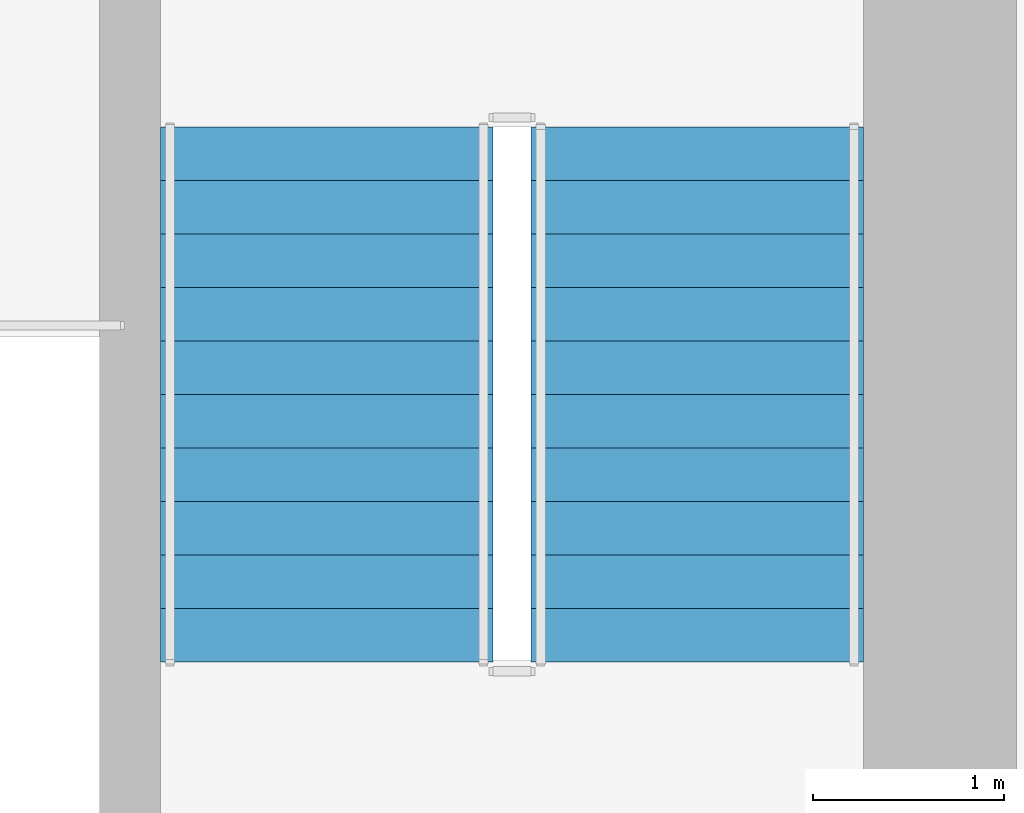
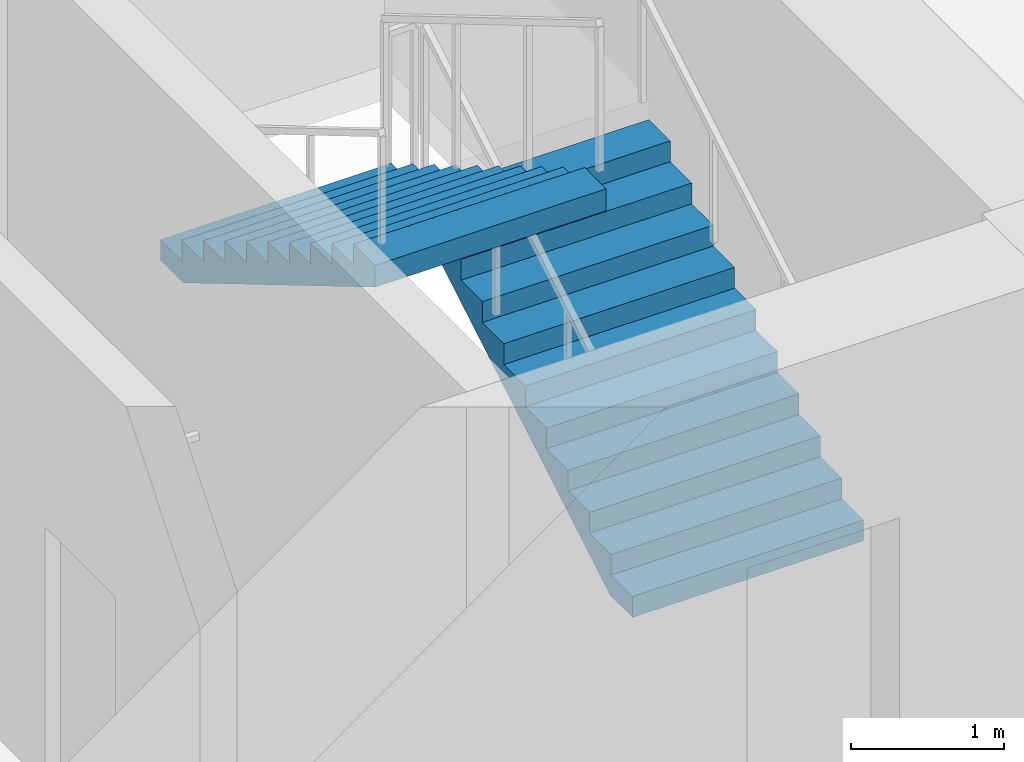
# One storey, part 10 of 11: 2 stair flights, 1 element without a shape of its own.
"""IFC4 building model written with IfcOpenShell, lengths in metres."""

import ifcopenshell
import ifcopenshell.guid

model = None  # the IFC model being written
_history = None  # IfcOwnerHistory: only IFC2X3 demands one
_inside = {}  # id of a spatial element -> (the spatial element, [elements in it])
_under = {}  # id of a project, library or spatial element -> (it, [spatial elements below it])
_declared = {}  # id of a project -> (the project, [libraries it declares])
_typed = {}  # id of a type object -> (the type object, [elements of that type])
_made_of = {}  # id of a material, layer set ... -> (it, [elements and type objects made of it])


def new_model(schema):
    """Start an empty IFC model of exactly this schema.

    Asked for "IFC4X3", IfcOpenShell would pick the latest addendum, in which some entities
    have other attributes; the version numbers below select the first issue.
    IFC2X3 requires an IfcOwnerHistory on every rooted entity: one is made here for all.
    """
    global model, _history
    if schema == "IFC4X3":
        model = ifcopenshell.file(schema_version=(4, 3, 0, 0))
    else:
        model = ifcopenshell.file(schema=schema)
    _inside.clear()
    _under.clear()
    _declared.clear()
    _typed.clear()
    _made_of.clear()
    _history = None
    if model.schema == "IFC2X3":
        org = make("IfcOrganization", Name="unknown")
        user = make(
            "IfcPersonAndOrganization",
            ThePerson=make("IfcPerson", FamilyName="unknown"),
            TheOrganization=org,
        )
        app = make(
            "IfcApplication",
            ApplicationDeveloper=org,
            Version="unknown",
            ApplicationFullName="unknown",
            ApplicationIdentifier="unknown",
        )
        _history = make(
            "IfcOwnerHistory",
            OwningUser=user,
            OwningApplication=app,
            ChangeAction="ADDED",
            CreationDate=0,
        )
    return model


def make(cls, **values):
    """One entity of the class cls with the attributes given. An attribute that is None is left unset."""
    return model.create_entity(
        cls, **{name: value for name, value in values.items() if value is not None}
    )


def rooted(cls, **values):
    """An entity with a GlobalId (a new one), such as an element, a storey or a relation."""
    return make(cls, GlobalId=ifcopenshell.guid.new(), OwnerHistory=_history, **values)


def si_unit(unit_type, name, prefix=None):
    """IfcSIUnit, for example si_unit("LENGTHUNIT", "METRE", prefix="MILLI")."""
    return make("IfcSIUnit", UnitType=unit_type, Prefix=prefix, Name=name)


def assignment(units):
    """IfcUnitAssignment: the units of a project."""
    return None if units is None else make("IfcUnitAssignment", Units=units)


def point(xyz):
    """IfcCartesianPoint."""
    return None if xyz is None else make("IfcCartesianPoint", Coordinates=xyz)


def direction(xyz):
    """IfcDirection."""
    return None if xyz is None else make("IfcDirection", DirectionRatios=xyz)


def frame(location, z_axis=None, x_axis=None):
    """IfcAxis2Placement3D, a coordinate frame: its origin and axes. An axis left out is left unset."""
    return make(
        "IfcAxis2Placement3D",
        Location=point(location),
        Axis=direction(z_axis),
        RefDirection=direction(x_axis),
    )


def origin():
    """The frame at (0, 0, 0) with its axes left unset."""
    return frame((0.0, 0.0, 0.0))


def place(relative_to, where):
    """IfcLocalPlacement: puts the frame where relative to a parent placement (None: the world)."""
    return make(
        "IfcLocalPlacement", PlacementRelTo=relative_to, RelativePlacement=where
    )


def context(
    kind, dimensions, precision=None, world=None, true_north=None, identifier=None
):
    """IfcGeometricRepresentationContext, for example the 3D "Model" context."""
    return make(
        "IfcGeometricRepresentationContext",
        ContextIdentifier=identifier,
        ContextType=kind,
        CoordinateSpaceDimension=dimensions,
        Precision=precision,
        WorldCoordinateSystem=world,
        TrueNorth=true_north,
    )


def subcontext(parent, identifier, kind, view, scale=None):
    """IfcGeometricRepresentationSubContext, for example "Body" below "Model"."""
    return make(
        "IfcGeometricRepresentationSubContext",
        ContextIdentifier=identifier,
        ContextType=kind,
        ParentContext=parent,
        TargetScale=scale,
        TargetView=view,
    )


def project(units=None, contexts=None):
    """IfcProject with its units and contexts."""
    return rooted(
        "IfcProject",
        Name="project",
        RepresentationContexts=contexts,
        UnitsInContext=assignment(units),
    )


def spatial(cls, under=None, at=None, **own):
    """A site, building, storey or space (cls), placed at a placement, below another one or the project."""
    s = rooted(cls, ObjectPlacement=at, **own)
    if under is not None:
        _under.setdefault(under.id(), (under, []))[1].append(s)
    return s


def polyline(points):
    """IfcPolyline through the points."""
    return make("IfcPolyline", Points=[point(p) for p in points])


def outline(outer, holes=None, kind="AREA"):
    """IfcArbitraryClosedProfileDef: a profile drawn as a closed curve; with holes, ...WithVoids."""
    if holes is None:
        return make("IfcArbitraryClosedProfileDef", ProfileType=kind, OuterCurve=outer)
    return make(
        "IfcArbitraryProfileDefWithVoids",
        ProfileType=kind,
        OuterCurve=outer,
        InnerCurves=holes,
    )


def extrude(swept, where, along, depth):
    """IfcExtrudedAreaSolid: the profile swept, set in the frame where, extruded along a direction by depth."""
    return make(
        "IfcExtrudedAreaSolid",
        SweptArea=swept,
        Position=where,
        ExtrudedDirection=direction(along),
        Depth=depth,
    )


def shape(context_of_items, identifier, shape_type, items):
    """IfcShapeRepresentation: the items that make up one representation, for example the "Body"."""
    return make(
        "IfcShapeRepresentation",
        ContextOfItems=context_of_items,
        RepresentationIdentifier=identifier,
        RepresentationType=shape_type,
        Items=items,
    )


def material(Name=None, Category=None):
    """IfcMaterial."""
    return make("IfcMaterial", Name=Name, Category=Category)


def made_of(thing, what):
    """Note that an element or type object is made of a material, layer set ...; save() writes the relation."""
    if what is not None:
        _made_of.setdefault(what.id(), (what, []))[1].append(thing)
    return thing


def type_object(cls, material=None, **own):
    """A type object (cls), such as IfcWallType, which elements share."""
    return made_of(rooted(cls, **own), material)


def element(
    cls,
    number,
    at=None,
    inside=None,
    cuts=None,
    type_object=None,
    material=None,
    context=None,
    identifier="Body",
    shape_type=None,
    held_by="IfcProductDefinitionShape",
    body=None,
    shapes=None,
    **own,
):
    """One element of the class cls, such as IfcWall. Its Tag is "e" and its number.

    at: its placement. inside: the storey or other place that contains it. cuts: it is an
    opening in that element (IfcRelVoidsElement). A single representation is given by context,
    identifier, shape_type and body (its items); several are given by shapes. held_by: the class
    of the entity that holds the representations. save() writes the other relations.
    """
    e = rooted(cls, Tag="e%d" % number, ObjectPlacement=at, **own)
    if body is not None:
        shapes = [shape(context, identifier, shape_type, body)]
    if shapes is not None:
        e.Representation = make(held_by, Representations=shapes)
    if inside is not None:
        _inside.setdefault(inside.id(), (inside, []))[1].append(e)
    if cuts is not None:
        rooted(
            "IfcRelVoidsElement", RelatingBuildingElement=cuts, RelatedOpeningElement=e
        )
    if type_object is not None:
        _typed.setdefault(type_object.id(), (type_object, []))[1].append(e)
    return made_of(e, material)


def aggregate(whole, parts):
    """IfcRelAggregates: a whole, such as a stair, and the parts it consists of."""
    return rooted("IfcRelAggregates", RelatingObject=whole, RelatedObjects=parts)


def save(model, path):
    """Write the relations noted so far, then the file.

    IfcRelAggregates (storeys below a building ...), IfcRelContainedInSpatialStructure (elements
    in a storey), IfcRelDefinesByType, IfcRelAssociatesMaterial and IfcRelDeclares: one each for
    every whole, place, type object, material and project.
    """
    for whole, parts in _under.values():
        aggregate(whole, parts)
    for where, things in _inside.values():
        rooted(
            "IfcRelContainedInSpatialStructure",
            RelatedElements=things,
            RelatingStructure=where,
        )
    for kind, things in _typed.values():
        rooted("IfcRelDefinesByType", RelatedObjects=things, RelatingType=kind)
    for what, things in _made_of.values():
        rooted("IfcRelAssociatesMaterial", RelatedObjects=things, RelatingMaterial=what)
    for by, libraries in _declared.values():
        rooted("IfcRelDeclares", RelatingContext=by, RelatedDefinitions=libraries)
    model.write(path)


model = new_model("IFC4")

# Units and contexts
model_context = context("Model", 3, precision=1e-05, world=origin(), true_north=direction((0.0, 1.0)))
body_context = subcontext(model_context, "Body", "Model", "MODEL_VIEW")
ifc_project = project(units=[si_unit("LENGTHUNIT", "METRE"), si_unit("AREAUNIT", "SQUARE_METRE"), si_unit("VOLUMEUNIT", "CUBIC_METRE"), si_unit("PLANEANGLEUNIT", "RADIAN"), si_unit("MASSUNIT", "GRAM", prefix="KILO")], contexts=[model_context])

# Site, building, storey
site_placement = place(None, origin())
site = spatial("IfcSite", under=ifc_project, at=site_placement, CompositionType="ELEMENT")
building_placement = place(site_placement, origin())
building = spatial("IfcBuilding", under=site, at=building_placement, Name="Talyreon Biosciences Tower", CompositionType="ELEMENT")
storey_placement = place(building_placement, frame((0.0, 0.0, 163.699951171875)))
storey = spatial("IfcBuildingStorey", under=building, at=storey_placement, Name="L43", CompositionType="ELEMENT", Elevation=163.699951171875)

# Stair, stair flights
ifc_material = material(Name="Concrete C40/50", Category="concrete")
stair_type = type_object("IfcStairType", Name="DoglegEscapeStair_3650", PredefinedType="HALF_TURN_STAIR", material=ifc_material)
stair_placement = place(storey_placement, origin())
stair = element("IfcStair", 1, at=stair_placement, inside=storey, type_object=stair_type, Name="L43 Core Escape Stair 2", PredefinedType="HALF_TURN_STAIR")
stair_flight_type = type_object("IfcStairFlightType", Name="PrecastStairFlight_3650", PredefinedType="STRAIGHT", material=ifc_material)
stair_flight_1_placement = place(storey_placement, frame((72.8798828125, 63.39990234375, 0.0), z_axis=(0.0, 0.0, 1.0), x_axis=(0.0, 1.0, 0.0)))
stair_flight_1 = element("IfcStairFlight", 2, at=stair_flight_1_placement, type_object=stair_flight_type, Name="ST-2 flight 1", NumberOfRisers=11, NumberOfTreads=10, PredefinedType="STRAIGHT", RiserHeight=0.165909091, TreadLength=0.28, context=body_context, shape_type="SweptSolid", body=[
    extrude(outline(polyline([(0.0, 0.0), (0.0, 0.166015625), (0.280029296875, 0.166015625), (0.280029296875, 0.331787109375), (0.56005859375, 0.331787109375), (0.56005859375, 0.497802734375), (0.840087890625, 0.497802734375), (0.840087890625, 0.66357421875), (1.1201171875, 0.66357421875), (1.1201171875, 0.82958984375), (1.39990234375, 0.82958984375), (1.39990234375, 0.995361328125), (1.679931640625, 0.995361328125), (1.679931640625, 1.161376953125), (1.9599609375, 1.161376953125), (1.9599609375, 1.327392578125), (2.239990234375, 1.327392578125), (2.239990234375, 1.4931640625), (2.52001953125, 1.4931640625), (2.52001953125, 1.6591796875), (2.800048828125, 1.6591796875), (2.800048828125, 1.824951171875), (2.800048828125, 1.48486328125), (0.2939453125, 0.0), (0.0, 0.0)])), frame((0.0, 0.8701171875, 0.0), z_axis=(0.0, -1.0, 0.0), x_axis=(1.0, 0.0, 0.0)), (0.0, 0.0, 1.0), 1.739990234375),
])
stair_flight_2_placement = place(storey_placement, frame((70.93994140625, 66.199951171875, 1.824951171875), z_axis=(0.0, 0.0, 1.0), x_axis=(0.0, -1.0, 0.0)))
stair_flight_2 = element("IfcStairFlight", 3, at=stair_flight_2_placement, type_object=stair_flight_type, Name="ST-2 flight 2", NumberOfRisers=11, NumberOfTreads=10, PredefinedType="STRAIGHT", RiserHeight=0.165909091, TreadLength=0.28, context=body_context, shape_type="SweptSolid", body=[
    extrude(outline(polyline([(0.0, 0.0), (0.0, 0.166015625), (0.280029296875, 0.166015625), (0.280029296875, 0.331787109375), (0.56005859375, 0.331787109375), (0.56005859375, 0.497802734375), (0.840087890625, 0.497802734375), (0.840087890625, 0.66357421875), (1.1201171875, 0.66357421875), (1.1201171875, 0.82958984375), (1.39990234375, 0.82958984375), (1.39990234375, 0.995361328125), (1.679931640625, 0.995361328125), (1.679931640625, 1.161376953125), (1.9599609375, 1.161376953125), (1.9599609375, 1.327392578125), (2.239990234375, 1.327392578125), (2.239990234375, 1.4931640625), (2.52001953125, 1.4931640625), (2.52001953125, 1.6591796875), (2.800048828125, 1.6591796875), (2.800048828125, 1.824951171875), (2.800048828125, 1.48486328125), (0.2939453125, 0.0), (0.0, 0.0)])), frame((0.0, 0.8701171875, 0.0), z_axis=(0.0, -1.0, 0.0), x_axis=(1.0, 0.0, 0.0)), (0.0, 0.0, 1.0), 1.739990234375),
])
aggregate(stair, [stair_flight_1, stair_flight_2])

save(model, "model.ifc")
